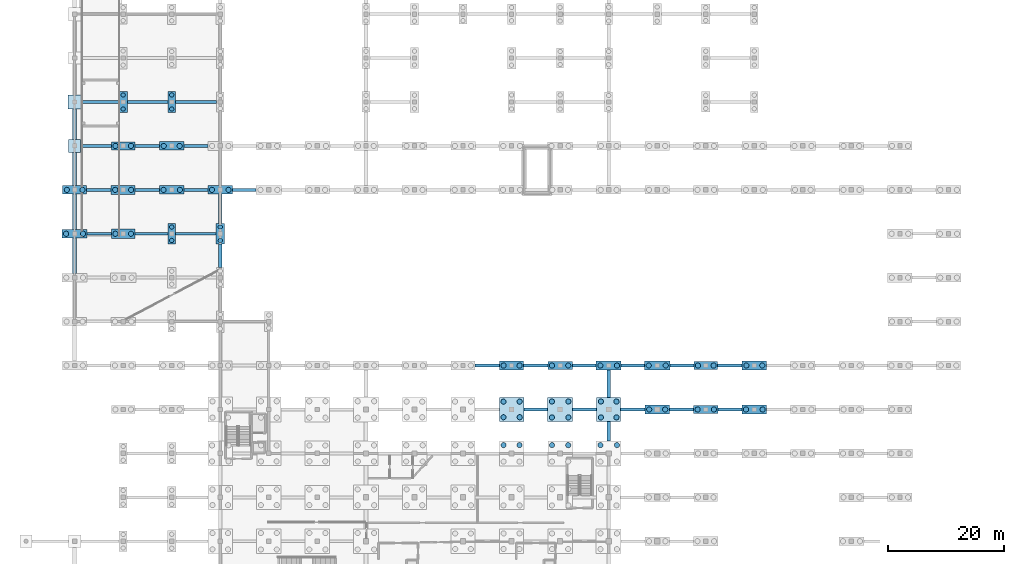
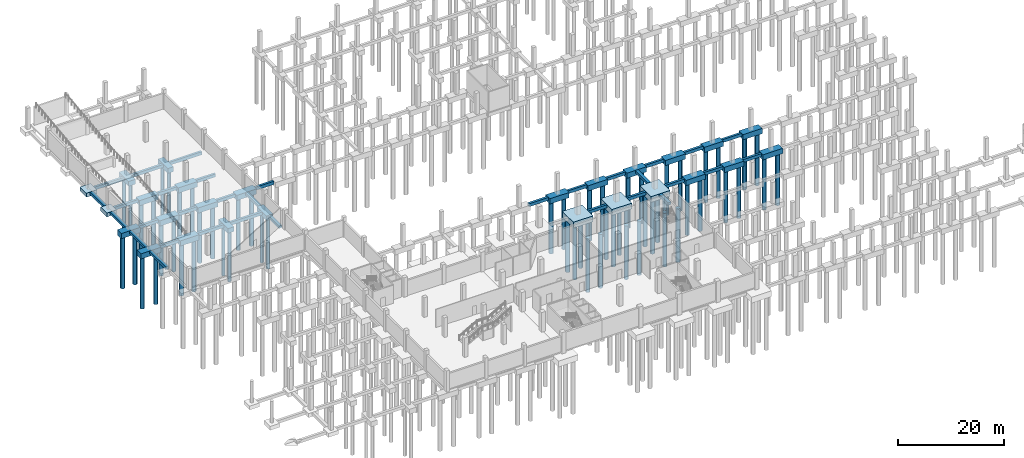
# One storey, part 5 of 22: 60 piles, 58 footings.
"""IFC4 building model written with IfcOpenShell, lengths in metres."""

from ifc_helpers import new_model, si_unit, direction, frame, origin, origin_2d, place, context, subcontext, project, spatial, rectangle, circle, extrude, material, material_profile, profile_set, type_object, element, save


model = new_model("IFC4")

# Units and contexts
model_context = context("Model", 3, precision=1e-05, world=origin(), true_north=direction((0.0, 1.0)))
body_context = subcontext(model_context, "Body", "Model", "MODEL_VIEW")
ifc_project = project(units=[si_unit("LENGTHUNIT", "METRE"), si_unit("AREAUNIT", "SQUARE_METRE"), si_unit("VOLUMEUNIT", "CUBIC_METRE"), si_unit("PLANEANGLEUNIT", "RADIAN"), si_unit("MASSUNIT", "GRAM", prefix="KILO")], contexts=[model_context])

# Site, building, storey
site_placement = place(None, origin())
site = spatial("IfcSite", under=ifc_project, at=site_placement, CompositionType="ELEMENT")
building_placement = place(site_placement, origin())
building = spatial("IfcBuilding", under=site, at=building_placement, Name="Zuvorla Pavilion Media Centre", CompositionType="ELEMENT")
storey_placement = place(building_placement, frame((0.0, 0.0, -4.5)))
storey = spatial("IfcBuildingStorey", under=building, at=storey_placement, Name="B01", CompositionType="ELEMENT", Elevation=-4.5)

# Footings
ifc_material = material(Name="Concrete C40/50", Category="concrete")
footing_type_1 = type_object("IfcFootingType", Name="FT-GB56", PredefinedType="FOOTING_BEAM", material=ifc_material)
footing_1_placement = place(storey_placement, frame((96.1875, 44.0, -1.10009765625), z_axis=(0.0, 0.0, 1.0), x_axis=(1.0, 0.0, 0.0)))
element("IfcFooting", 1, at=footing_1_placement, inside=storey, type_object=footing_type_1, Name="Ground beam GB56 89", PredefinedType="FOOTING_BEAM", context=body_context, shape_type="SweptSolid", body=[
    extrude(rectangle(XDim=4.114990234375, YDim=0.5, at=origin_2d()), origin(), (0.0, 0.0, 1.0), 0.699951171875),
])
footing_2_placement = place(storey_placement, frame((104.637451171875, 44.0, -1.10009765625), z_axis=(0.0, 0.0, 1.0), x_axis=(1.0, 0.0, 0.0)))
element("IfcFooting", 2, at=footing_2_placement, inside=storey, type_object=footing_type_1, Name="Ground beam GB56 90", PredefinedType="FOOTING_BEAM", context=body_context, shape_type="SweptSolid", body=[
    extrude(rectangle(XDim=4.1650390625, YDim=0.5, at=origin_2d()), origin(), (0.0, 0.0, 1.0), 0.699951171875),
])
footing_3_placement = place(storey_placement, frame((112.9951171875, 44.0, -1.10009765625), z_axis=(0.0, 0.0, 1.0), x_axis=(1.0, 0.0, 0.0)))
element("IfcFooting", 3, at=footing_3_placement, inside=storey, type_object=footing_type_1, Name="Ground beam GB56 91", PredefinedType="FOOTING_BEAM", context=body_context, shape_type="SweptSolid", body=[
    extrude(rectangle(XDim=4.22998046875, YDim=0.5, at=origin_2d()), origin(), (0.0, 0.0, 1.0), 0.699951171875),
])
footing_4_placement = place(storey_placement, frame((121.385009765625, 44.0, -1.10009765625), z_axis=(0.0, 0.0, 1.0), x_axis=(1.0, 0.0, 0.0)))
element("IfcFooting", 4, at=footing_4_placement, inside=storey, type_object=footing_type_1, Name="Ground beam GB56 92", PredefinedType="FOOTING_BEAM", context=body_context, shape_type="SweptSolid", body=[
    extrude(rectangle(XDim=4.18994140625, YDim=0.5, at=origin_2d()), origin(), (0.0, 0.0, 1.0), 0.699951171875),
])
footing_5_placement = place(storey_placement, frame((129.784912109375, 44.0, -1.10009765625), z_axis=(0.0, 0.0, 1.0), x_axis=(1.0, 0.0, 0.0)))
element("IfcFooting", 5, at=footing_5_placement, inside=storey, type_object=footing_type_1, Name="Ground beam GB56 93", PredefinedType="FOOTING_BEAM", context=body_context, shape_type="SweptSolid", body=[
    extrude(rectangle(XDim=4.1298828125, YDim=0.5, at=origin_2d()), origin(), (0.0, 0.0, 1.0), 0.699951171875),
])
footing_6_placement = place(storey_placement, frame((87.784912109375, 51.60009765625, -1.10009765625), z_axis=(0.0, 0.0, 1.0), x_axis=(1.0, 0.0, 0.0)))
element("IfcFooting", 6, at=footing_6_placement, inside=storey, type_object=footing_type_1, Name="Ground beam GB56 105", PredefinedType="FOOTING_BEAM", context=body_context, shape_type="SweptSolid", body=[
    extrude(rectangle(XDim=4.25, YDim=0.5, at=origin_2d()), origin(), (0.0, 0.0, 1.0), 0.699951171875),
])
footing_7_placement = place(storey_placement, frame((96.18505859375, 51.60009765625, -1.10009765625), z_axis=(0.0, 0.0, 1.0), x_axis=(1.0, 0.0, 0.0)))
element("IfcFooting", 7, at=footing_7_placement, inside=storey, type_object=footing_type_1, Name="Ground beam GB56 106", PredefinedType="FOOTING_BEAM", context=body_context, shape_type="SweptSolid", body=[
    extrude(rectangle(XDim=4.18994140625, YDim=0.5, at=origin_2d()), origin(), (0.0, 0.0, 1.0), 0.699951171875),
])
footing_8_placement = place(storey_placement, frame((104.5849609375, 51.60009765625, -1.10009765625), z_axis=(0.0, 0.0, 1.0), x_axis=(1.0, 0.0, 0.0)))
element("IfcFooting", 8, at=footing_8_placement, inside=storey, type_object=footing_type_1, Name="Ground beam GB56 107", PredefinedType="FOOTING_BEAM", context=body_context, shape_type="SweptSolid", body=[
    extrude(rectangle(XDim=4.1298828125, YDim=0.5, at=origin_2d()), origin(), (0.0, 0.0, 1.0), 0.699951171875),
])
footing_9_placement = place(storey_placement, frame((112.985107421875, 51.60009765625, -1.10009765625), z_axis=(0.0, 0.0, 1.0), x_axis=(1.0, 0.0, 0.0)))
element("IfcFooting", 9, at=footing_9_placement, inside=storey, type_object=footing_type_1, Name="Ground beam GB56 108", PredefinedType="FOOTING_BEAM", context=body_context, shape_type="SweptSolid", body=[
    extrude(rectangle(XDim=4.070068359375, YDim=0.5, at=origin_2d()), origin(), (0.0, 0.0, 1.0), 0.699951171875),
])
footing_10_placement = place(storey_placement, frame((121.4599609375, 51.60009765625, -1.10009765625), z_axis=(0.0, 0.0, 1.0), x_axis=(1.0, 0.0, 0.0)))
element("IfcFooting", 10, at=footing_10_placement, inside=storey, type_object=footing_type_1, Name="Ground beam GB56 109", PredefinedType="FOOTING_BEAM", context=body_context, shape_type="SweptSolid", body=[
    extrude(rectangle(XDim=4.159912109375, YDim=0.5, at=origin_2d()), origin(), (0.0, 0.0, 1.0), 0.699951171875),
])
footing_11_placement = place(storey_placement, frame((129.784912109375, 51.60009765625, -1.10009765625), z_axis=(0.0, 0.0, 1.0), x_axis=(1.0, 0.0, 0.0)))
element("IfcFooting", 11, at=footing_11_placement, inside=storey, type_object=footing_type_1, Name="Ground beam GB56 110", PredefinedType="FOOTING_BEAM", context=body_context, shape_type="SweptSolid", body=[
    extrude(rectangle(XDim=4.25, YDim=0.5, at=origin_2d()), origin(), (0.0, 0.0, 1.0), 0.699951171875),
])
footing_12_placement = place(storey_placement, frame((20.659912109375, 74.39990234375, -1.10009765625), z_axis=(0.0, 0.0, 1.0), x_axis=(1.0, 0.0, 0.0)))
element("IfcFooting", 12, at=footing_12_placement, inside=storey, type_object=footing_type_1, Name="Ground beam GB56 124", PredefinedType="FOOTING_BEAM", context=body_context, shape_type="SweptSolid", body=[
    extrude(rectangle(XDim=4.159912109375, YDim=0.5, at=origin_2d()), origin(), (0.0, 0.0, 1.0), 0.699951171875),
])
footing_13_placement = place(storey_placement, frame((29.697509765625, 74.39990234375, -1.10009765625), z_axis=(0.0, 0.0, 1.0), x_axis=(1.0, 0.0, 0.0)))
element("IfcFooting", 13, at=footing_13_placement, inside=storey, type_object=footing_type_1, Name="Ground beam GB56 125", PredefinedType="FOOTING_BEAM", context=body_context, shape_type="SweptSolid", body=[
    extrude(rectangle(XDim=5.675048828125, YDim=0.5, at=origin_2d()), origin(), (0.0, 0.0, 1.0), 0.699951171875),
])
footing_14_placement = place(storey_placement, frame((37.3798828125, 74.39990234375, -1.10009765625), z_axis=(0.0, 0.0, 1.0), x_axis=(1.0, 0.0, 0.0)))
element("IfcFooting", 14, at=footing_14_placement, inside=storey, type_object=footing_type_1, Name="Ground beam GB56 126", PredefinedType="FOOTING_BEAM", context=body_context, shape_type="SweptSolid", body=[
    extrude(rectangle(XDim=7.030029296875, YDim=0.5, at=origin_2d()), origin(), (0.0, 0.0, 1.0), 0.699951171875),
])
footing_15_placement = place(storey_placement, frame((20.5849609375, 82.0, -1.10009765625), z_axis=(0.0, 0.0, 1.0), x_axis=(1.0, 0.0, 0.0)))
element("IfcFooting", 15, at=footing_15_placement, inside=storey, type_object=footing_type_1, Name="Ground beam GB56 128", PredefinedType="FOOTING_BEAM", context=body_context, shape_type="SweptSolid", body=[
    extrude(rectangle(XDim=4.25, YDim=0.5, at=origin_2d()), origin(), (0.0, 0.0, 1.0), 0.699951171875),
])
footing_16_placement = place(storey_placement, frame((28.985107421875, 82.0, -1.10009765625), z_axis=(0.0, 0.0, 1.0), x_axis=(1.0, 0.0, 0.0)))
element("IfcFooting", 16, at=footing_16_placement, inside=storey, type_object=footing_type_1, Name="Ground beam GB56 129", PredefinedType="FOOTING_BEAM", context=body_context, shape_type="SweptSolid", body=[
    extrude(rectangle(XDim=4.18994140625, YDim=0.5, at=origin_2d()), origin(), (0.0, 0.0, 1.0), 0.699951171875),
])
footing_17_placement = place(storey_placement, frame((37.385009765625, 82.0, -1.10009765625), z_axis=(0.0, 0.0, 1.0), x_axis=(1.0, 0.0, 0.0)))
element("IfcFooting", 17, at=footing_17_placement, inside=storey, type_object=footing_type_1, Name="Ground beam GB56 130", PredefinedType="FOOTING_BEAM", context=body_context, shape_type="SweptSolid", body=[
    extrude(rectangle(XDim=4.1298828125, YDim=0.5, at=origin_2d()), origin(), (0.0, 0.0, 1.0), 0.699951171875),
])
footing_18_placement = place(storey_placement, frame((45.784912109375, 82.0, -1.10009765625), z_axis=(0.0, 0.0, 1.0), x_axis=(1.0, 0.0, 0.0)))
element("IfcFooting", 18, at=footing_18_placement, inside=storey, type_object=footing_type_1, Name="Ground beam GB56 131", PredefinedType="FOOTING_BEAM", context=body_context, shape_type="SweptSolid", body=[
    extrude(rectangle(XDim=4.070068359375, YDim=0.5, at=origin_2d()), origin(), (0.0, 0.0, 1.0), 0.699951171875),
])
footing_19_placement = place(storey_placement, frame((20.094970703125, 89.60009765625, -1.10009765625), z_axis=(0.0, 0.0, 1.0), x_axis=(1.0, 0.0, 0.0)))
element("IfcFooting", 19, at=footing_19_placement, inside=storey, type_object=footing_type_1, Name="Ground beam GB56 146", PredefinedType="FOOTING_BEAM", context=body_context, shape_type="SweptSolid", body=[
    extrude(rectangle(XDim=5.2900390625, YDim=0.5, at=origin_2d()), origin(), (0.0, 0.0, 1.0), 0.699951171875),
])
footing_20_placement = place(storey_placement, frame((28.985107421875, 89.60009765625, -1.10009765625), z_axis=(0.0, 0.0, 1.0), x_axis=(1.0, 0.0, 0.0)))
element("IfcFooting", 20, at=footing_20_placement, inside=storey, type_object=footing_type_1, Name="Ground beam GB56 147", PredefinedType="FOOTING_BEAM", context=body_context, shape_type="SweptSolid", body=[
    extrude(rectangle(XDim=4.25, YDim=0.5, at=origin_2d()), origin(), (0.0, 0.0, 1.0), 0.699951171875),
])
footing_21_placement = place(storey_placement, frame((37.385009765625, 89.60009765625, -1.10009765625), z_axis=(0.0, 0.0, 1.0), x_axis=(1.0, 0.0, 0.0)))
element("IfcFooting", 21, at=footing_21_placement, inside=storey, type_object=footing_type_1, Name="Ground beam GB56 148", PredefinedType="FOOTING_BEAM", context=body_context, shape_type="SweptSolid", body=[
    extrude(rectangle(XDim=4.18994140625, YDim=0.5, at=origin_2d()), origin(), (0.0, 0.0, 1.0), 0.699951171875),
])
footing_22_placement = place(storey_placement, frame((20.802490234375, 97.199951171875, -1.10009765625), z_axis=(0.0, 0.0, 1.0), x_axis=(1.0, 0.0, 0.0)))
element("IfcFooting", 22, at=footing_22_placement, inside=storey, type_object=footing_type_1, Name="Ground beam GB56 163", PredefinedType="FOOTING_BEAM", context=body_context, shape_type="SweptSolid", body=[
    extrude(rectangle(XDim=6.5048828125, YDim=0.5, at=origin_2d()), origin(), (0.0, 0.0, 1.0), 0.699951171875),
])
footing_23_placement = place(storey_placement, frame((29.06005859375, 97.199951171875, -1.10009765625), z_axis=(0.0, 0.0, 1.0), x_axis=(1.0, 0.0, 0.0)))
element("IfcFooting", 23, at=footing_23_placement, inside=storey, type_object=footing_type_1, Name="Ground beam GB56 164", PredefinedType="FOOTING_BEAM", context=body_context, shape_type="SweptSolid", body=[
    extrude(rectangle(XDim=7.030029296875, YDim=0.5, at=origin_2d()), origin(), (0.0, 0.0, 1.0), 0.699951171875),
])
footing_24_placement = place(storey_placement, frame((37.3798828125, 97.199951171875, -1.10009765625), z_axis=(0.0, 0.0, 1.0), x_axis=(1.0, 0.0, 0.0)))
element("IfcFooting", 24, at=footing_24_placement, inside=storey, type_object=footing_type_1, Name="Ground beam GB56 165", PredefinedType="FOOTING_BEAM", context=body_context, shape_type="SweptSolid", body=[
    extrude(rectangle(XDim=7.110107421875, YDim=0.5, at=origin_2d()), origin(), (0.0, 0.0, 1.0), 0.699951171875),
])
footing_type_2 = type_object("IfcFootingType", Name="FT-PC03", PredefinedType="PILE_CAP", material=ifc_material)
footing_25_placement = place(storey_placement, frame((41.60009765625, 74.39990234375, -1.5), z_axis=(0.0, 0.0, 1.0), x_axis=(1.0, 0.0, 0.0)))
element("IfcFooting", 25, at=footing_25_placement, inside=storey, type_object=footing_type_2, Name="Pile cap PC03", PredefinedType="PILE_CAP", context=body_context, shape_type="SweptSolid", body=[
    extrude(rectangle(XDim=1.409912109375, YDim=3.60009765625, at=origin_2d()), origin(), (0.0, 0.0, 1.0), 1.10009765625),
])
footing_type_3 = type_object("IfcFootingType", Name="FT-PC04", PredefinedType="PILE_CAP", material=ifc_material)
footing_26_placement = place(storey_placement, frame((24.800048828125, 97.199951171875, -1.5), z_axis=(0.0, 0.0, 1.0), x_axis=(1.0, 0.0, 0.0)))
element("IfcFooting", 26, at=footing_26_placement, inside=storey, type_object=footing_type_3, Name="Pile cap PC04", PredefinedType="PILE_CAP", context=body_context, shape_type="SweptSolid", body=[
    extrude(rectangle(XDim=1.489990234375, YDim=3.64990234375, at=origin_2d()), origin(), (0.0, 0.0, 1.0), 1.10009765625),
])
footing_type_4 = type_object("IfcFootingType", Name="FT-PC05", PredefinedType="PILE_CAP", material=ifc_material)
footing_27_placement = place(storey_placement, frame((16.39990234375, 74.39990234375, -1.60009765625), z_axis=(0.0, 0.0, 1.0), x_axis=(1.0, 0.0, 0.0)))
element("IfcFooting", 27, at=footing_27_placement, inside=storey, type_object=footing_type_4, Name="Pile cap PC05", PredefinedType="PILE_CAP", context=body_context, shape_type="SweptSolid", body=[
    extrude(rectangle(XDim=4.360107421875, YDim=1.5, at=origin_2d()), origin(), (0.0, 0.0, 1.0), 1.199951171875),
])
footing_type_5 = type_object("IfcFootingType", Name="FT-PC06", PredefinedType="PILE_CAP", material=ifc_material)
footing_28_placement = place(storey_placement, frame((24.800048828125, 74.39990234375, -1.60009765625), z_axis=(0.0, 0.0, 1.0), x_axis=(1.0, 0.0, 0.0)))
element("IfcFooting", 28, at=footing_28_placement, inside=storey, type_object=footing_type_5, Name="Pile cap PC06", PredefinedType="PILE_CAP", context=body_context, shape_type="SweptSolid", body=[
    extrude(rectangle(XDim=4.1201171875, YDim=1.580078125, at=origin_2d()), origin(), (0.0, 0.0, 1.0), 1.199951171875),
])
footing_type_6 = type_object("IfcFootingType", Name="FT-PC13", PredefinedType="PILE_CAP", material=ifc_material)
for number, where, z_axis, x_axis, name in (
    (29, (125.60009765625, 44.0, -1.60009765625), (0.0, 0.0, 1.0), (1.0, 0.0, 0.0), "Pile cap PC13"),
    (30, (100.39990234375, 51.60009765625, -1.60009765625), (0.0, 0.0, 1.0), (1.0, 0.0, 0.0), "Pile cap PC13"),
    (31, (33.199951171875, 82.0, -1.60009765625), (0.0, 0.0, 1.0), (1.0, 0.0, 0.0), "Pile cap PC13"),
):
    element("IfcFooting", number, at=place(storey_placement, frame(where, z_axis=z_axis, x_axis=x_axis)), inside=storey, type_object=footing_type_6, Name=name, PredefinedType="PILE_CAP", context=body_context, shape_type="SweptSolid", body=[
        extrude(rectangle(XDim=4.239990234375, YDim=1.419921875, at=origin_2d()), origin(), (0.0, 0.0, 1.0), 1.199951171875),
    ])
footing_type_7 = type_object("IfcFootingType", Name="FT-PC14", PredefinedType="PILE_CAP", material=ifc_material)
for number, where, z_axis, x_axis, name in (
    (32, (134.0, 44.0, -1.60009765625), (0.0, 0.0, 1.0), (1.0, 0.0, 0.0), "Pile cap PC14"),
    (33, (108.800048828125, 51.60009765625, -1.60009765625), (0.0, 0.0, 1.0), (1.0, 0.0, 0.0), "Pile cap PC14"),
    (34, (41.60009765625, 82.0, -1.60009765625), (0.0, 0.0, 1.0), (1.0, 0.0, 0.0), "Pile cap PC14"),
):
    element("IfcFooting", number, at=place(storey_placement, frame(where, z_axis=z_axis, x_axis=x_axis)), inside=storey, type_object=footing_type_7, Name=name, PredefinedType="PILE_CAP", context=body_context, shape_type="SweptSolid", body=[
        extrude(rectangle(XDim=4.300048828125, YDim=1.5, at=origin_2d()), origin(), (0.0, 0.0, 1.0), 1.199951171875),
    ])
footing_type_8 = type_object("IfcFootingType", Name="FT-PC15", PredefinedType="PILE_CAP", material=ifc_material)
footing_29_placement = place(storey_placement, frame((117.199951171875, 51.60009765625, -1.60009765625), z_axis=(0.0, 0.0, 1.0), x_axis=(1.0, 0.0, 0.0)))
element("IfcFooting", 35, at=footing_29_placement, inside=storey, type_object=footing_type_8, Name="Pile cap PC15", PredefinedType="PILE_CAP", context=body_context, shape_type="SweptSolid", body=[
    extrude(rectangle(XDim=4.360107421875, YDim=1.580078125, at=origin_2d()), origin(), (0.0, 0.0, 1.0), 1.199951171875),
])
footing_type_9 = type_object("IfcFootingType", Name="FT-PC16", PredefinedType="PILE_CAP", material=ifc_material)
for number, where, z_axis, x_axis, name in (
    (36, (125.60009765625, 51.60009765625, -1.60009765625), (0.0, 0.0, 1.0), (1.0, 0.0, 0.0), "Pile cap PC16"),
    (37, (24.800048828125, 89.60009765625, -1.60009765625), (0.0, 0.0, 1.0), (1.0, 0.0, 0.0), "Pile cap PC16"),
):
    element("IfcFooting", number, at=place(storey_placement, frame(where, z_axis=z_axis, x_axis=x_axis)), inside=storey, type_object=footing_type_9, Name=name, PredefinedType="PILE_CAP", context=body_context, shape_type="SweptSolid", body=[
        extrude(rectangle(XDim=4.1201171875, YDim=1.419921875, at=origin_2d()), origin(), (0.0, 0.0, 1.0), 1.199951171875),
    ])
footing_type_10 = type_object("IfcFootingType", Name="FT-PC17", PredefinedType="PILE_CAP", material=ifc_material)
for number, where, z_axis, x_axis, name in (
    (38, (134.0, 51.60009765625, -1.60009765625), (0.0, 0.0, 1.0), (1.0, 0.0, 0.0), "Pile cap PC17"),
    (39, (33.199951171875, 89.60009765625, -1.60009765625), (0.0, 0.0, 1.0), (1.0, 0.0, 0.0), "Pile cap PC17"),
):
    element("IfcFooting", number, at=place(storey_placement, frame(where, z_axis=z_axis, x_axis=x_axis)), inside=storey, type_object=footing_type_10, Name=name, PredefinedType="PILE_CAP", context=body_context, shape_type="SweptSolid", body=[
        extrude(rectangle(XDim=4.179931640625, YDim=1.5, at=origin_2d()), origin(), (0.0, 0.0, 1.0), 1.199951171875),
    ])
footing_type_11 = type_object("IfcFootingType", Name="FT-PC24", PredefinedType="PILE_CAP", material=ifc_material)
footing_30_placement = place(storey_placement, frame((16.39990234375, 82.0, -1.60009765625), z_axis=(0.0, 0.0, 1.0), x_axis=(1.0, 0.0, 0.0)))
element("IfcFooting", 40, at=footing_30_placement, inside=storey, type_object=footing_type_11, Name="Pile cap PC24", PredefinedType="PILE_CAP", context=body_context, shape_type="SweptSolid", body=[
    extrude(rectangle(XDim=4.1201171875, YDim=1.5, at=origin_2d()), origin(), (0.0, 0.0, 1.0), 1.199951171875),
])
footing_type_12 = type_object("IfcFootingType", Name="FT-PC25", PredefinedType="PILE_CAP", material=ifc_material)
for number, where, z_axis, x_axis, name in (
    (41, (117.199951171875, 44.0, -1.60009765625), (0.0, 0.0, 1.0), (1.0, 0.0, 0.0), "Pile cap PC25"),
    (42, (92.0, 51.60009765625, -1.60009765625), (0.0, 0.0, 1.0), (1.0, 0.0, 0.0), "Pile cap PC25"),
    (43, (24.800048828125, 82.0, -1.60009765625), (0.0, 0.0, 1.0), (1.0, 0.0, 0.0), "Pile cap PC25"),
):
    element("IfcFooting", number, at=place(storey_placement, frame(where, z_axis=z_axis, x_axis=x_axis)), inside=storey, type_object=footing_type_12, Name=name, PredefinedType="PILE_CAP", context=body_context, shape_type="SweptSolid", body=[
        extrude(rectangle(XDim=4.179931640625, YDim=1.580078125, at=origin_2d()), origin(), (0.0, 0.0, 1.0), 1.199951171875),
    ])
footing_type_13 = type_object("IfcFootingType", Name="FT-PC26", PredefinedType="PILE_CAP", material=ifc_material)
footing_31_placement = place(storey_placement, frame((100.39990234375, 44.0, -1.75), z_axis=(0.0, 0.0, 1.0), x_axis=(1.0, 0.0, 0.0)))
element("IfcFooting", 44, at=footing_31_placement, inside=storey, type_object=footing_type_13, Name="Pile cap PC26", PredefinedType="PILE_CAP", context=body_context, shape_type="SweptSolid", body=[
    extrude(rectangle(XDim=4.31005859375, YDim=4.2099609375, at=origin_2d()), origin(), (0.0, 0.0, 1.0), 1.35009765625),
])
footing_type_14 = type_object("IfcFootingType", Name="FT-PC27", PredefinedType="PILE_CAP", material=ifc_material)
footing_32_placement = place(storey_placement, frame((108.800048828125, 44.0, -1.75), z_axis=(0.0, 0.0, 1.0), x_axis=(1.0, 0.0, 0.0)))
element("IfcFooting", 45, at=footing_32_placement, inside=storey, type_object=footing_type_14, Name="Pile cap PC27", PredefinedType="PILE_CAP", context=body_context, shape_type="SweptSolid", body=[
    extrude(rectangle(XDim=4.159912109375, YDim=4.2099609375, at=origin_2d()), origin(), (0.0, 0.0, 1.0), 1.35009765625),
])
footing_type_15 = type_object("IfcFootingType", Name="FT-PC36", PredefinedType="PILE_CAP", material=ifc_material)
footing_33_placement = place(storey_placement, frame((92.0, 44.0, -1.75), z_axis=(0.0, 0.0, 1.0), x_axis=(1.0, 0.0, 0.0)))
element("IfcFooting", 46, at=footing_33_placement, inside=storey, type_object=footing_type_15, Name="Pile cap PC36", PredefinedType="PILE_CAP", context=body_context, shape_type="SweptSolid", body=[
    extrude(rectangle(XDim=4.260009765625, YDim=4.159912109375, at=origin_2d()), origin(), (0.0, 0.0, 1.0), 1.35009765625),
])
footing_type_16 = type_object("IfcFootingType", Name="FT-PC47", PredefinedType="PILE_CAP", material=ifc_material)
footing_34_placement = place(storey_placement, frame((33.199951171875, 74.39990234375, -1.5), z_axis=(0.0, 0.0, 1.0), x_axis=(1.0, 0.0, 0.0)))
element("IfcFooting", 47, at=footing_34_placement, inside=storey, type_object=footing_type_16, Name="Pile cap PC47", PredefinedType="PILE_CAP", context=body_context, shape_type="SweptSolid", body=[
    extrude(rectangle(XDim=1.330078125, YDim=3.550048828125, at=origin_2d()), origin(), (0.0, 0.0, 1.0), 1.10009765625),
])
footing_type_17 = type_object("IfcFootingType", Name="FT-PC48", PredefinedType="PILE_CAP", material=ifc_material)
footing_35_placement = place(storey_placement, frame((33.199951171875, 97.199951171875, -1.5), z_axis=(0.0, 0.0, 1.0), x_axis=(1.0, 0.0, 0.0)))
element("IfcFooting", 48, at=footing_35_placement, inside=storey, type_object=footing_type_17, Name="Pile cap PC48", PredefinedType="PILE_CAP", context=body_context, shape_type="SweptSolid", body=[
    extrude(rectangle(XDim=1.25, YDim=3.699951171875, at=origin_2d()), origin(), (0.0, 0.0, 1.0), 1.10009765625),
])
footing_type_18 = type_object("IfcFootingType", Name="FT-PF21", PredefinedType="PAD_FOOTING", material=ifc_material)
footing_36_placement = place(storey_placement, frame((16.39990234375, 89.60009765625, -1.300048828125), z_axis=(0.0, 0.0, 1.0), x_axis=(1.0, 0.0, 0.0)))
element("IfcFooting", 49, at=footing_36_placement, inside=storey, type_object=footing_type_18, Name="Pad footing PF21", PredefinedType="PAD_FOOTING", context=body_context, shape_type="SweptSolid", body=[
    extrude(rectangle(XDim=2.10009765625, YDim=2.300048828125, at=origin_2d()), origin(), (0.0, 0.0, 1.0), 0.89990234375),
])
footing_type_19 = type_object("IfcFootingType", Name="FT-PF32", PredefinedType="PAD_FOOTING", material=ifc_material)
footing_37_placement = place(storey_placement, frame((16.39990234375, 97.199951171875, -1.300048828125), z_axis=(0.0, 0.0, 1.0), x_axis=(1.0, 0.0, 0.0)))
element("IfcFooting", 50, at=footing_37_placement, inside=storey, type_object=footing_type_19, Name="Pad footing PF32", PredefinedType="PAD_FOOTING", context=body_context, shape_type="SweptSolid", body=[
    extrude(rectangle(XDim=2.300048828125, YDim=2.39990234375, at=origin_2d()), origin(), (0.0, 0.0, 1.0), 0.89990234375),
])
footing_type_20 = type_object("IfcFootingType", Name="FT-SF57", PredefinedType="STRIP_FOOTING", material=ifc_material)
for number, where, z_axis, x_axis, name in (
    (51, (16.39990234375, 70.60009765625, -1.0), (0.0, 0.0, 1.0), (0.0, 1.0, 0.0), "Strip footing SF57 5"),
    (52, (16.39990234375, 78.199951171875, -1.0), (0.0, 0.0, 1.0), (0.0, 1.0, 0.0), "Strip footing SF57 6"),
):
    element("IfcFooting", number, at=place(storey_placement, frame(where, z_axis=z_axis, x_axis=x_axis)), inside=storey, type_object=footing_type_20, Name=name, PredefinedType="STRIP_FOOTING", context=body_context, shape_type="SweptSolid", body=[
        extrude(rectangle(XDim=6.10009765625, YDim=0.64990234375, at=origin_2d()), origin(), (0.0, 0.0, 1.0), 0.60009765625),
    ])
footing_38_placement = place(storey_placement, frame((16.39990234375, 85.60009765625, -1.0), z_axis=(0.0, 0.0, 1.0), x_axis=(0.0, 1.0, 0.0)))
element("IfcFooting", 53, at=footing_38_placement, inside=storey, type_object=footing_type_20, Name="Strip footing SF57 7", PredefinedType="STRIP_FOOTING", context=body_context, shape_type="SweptSolid", body=[
    extrude(rectangle(XDim=5.699951171875, YDim=0.64990234375, at=origin_2d()), origin(), (0.0, 0.0, 1.0), 0.60009765625),
])
footing_39_placement = place(storey_placement, frame((16.39990234375, 93.375, -1.0), z_axis=(0.0, 0.0, 1.0), x_axis=(0.0, 1.0, 0.0)))
element("IfcFooting", 54, at=footing_39_placement, inside=storey, type_object=footing_type_20, Name="Strip footing SF57 8", PredefinedType="STRIP_FOOTING", context=body_context, shape_type="SweptSolid", body=[
    extrude(rectangle(XDim=5.25, YDim=0.64990234375, at=origin_2d()), origin(), (0.0, 0.0, 1.0), 0.60009765625),
])
footing_40_placement = place(storey_placement, frame((41.60009765625, 70.58740234375, -1.0), z_axis=(0.0, 0.0, 1.0), x_axis=(0.0, 1.0, 0.0)))
element("IfcFooting", 55, at=footing_40_placement, inside=storey, type_object=footing_type_20, Name="Strip footing SF57 20", PredefinedType="STRIP_FOOTING", context=body_context, shape_type="SweptSolid", body=[
    extrude(rectangle(XDim=4.02490234375, YDim=0.64990234375, at=origin_2d()), origin(), (0.0, 0.0, 1.0), 0.60009765625),
])
footing_41_placement = place(storey_placement, frame((41.60009765625, 78.72509765625, -1.0), z_axis=(0.0, 0.0, 1.0), x_axis=(0.0, 1.0, 0.0)))
element("IfcFooting", 56, at=footing_41_placement, inside=storey, type_object=footing_type_20, Name="Strip footing SF57 21", PredefinedType="STRIP_FOOTING", context=body_context, shape_type="SweptSolid", body=[
    extrude(rectangle(XDim=5.050048828125, YDim=0.64990234375, at=origin_2d()), origin(), (0.0, 0.0, 1.0), 0.60009765625),
])
footing_42_placement = place(storey_placement, frame((108.800048828125, 40.22509765625, -1.0), z_axis=(0.0, 0.0, 1.0), x_axis=(0.0, 1.0, 0.0)))
element("IfcFooting", 57, at=footing_42_placement, inside=storey, type_object=footing_type_20, Name="Strip footing SF57 42", PredefinedType="STRIP_FOOTING", context=body_context, shape_type="SweptSolid", body=[
    extrude(rectangle(XDim=3.340087890625, YDim=0.64990234375, at=origin_2d()), origin(), (0.0, 0.0, 1.0), 0.60009765625),
])
footing_43_placement = place(storey_placement, frame((108.800048828125, 48.4775390625, -1.0), z_axis=(0.0, 0.0, 1.0), x_axis=(0.0, 1.0, 0.0)))
element("IfcFooting", 58, at=footing_43_placement, inside=storey, type_object=footing_type_20, Name="Strip footing SF57 43", PredefinedType="STRIP_FOOTING", context=body_context, shape_type="SweptSolid", body=[
    extrude(rectangle(XDim=4.7451171875, YDim=0.64990234375, at=origin_2d()), origin(), (0.0, 0.0, 1.0), 0.60009765625),
])

# Piles
ifc_material_profile_1 = material_profile(ifc_material, circle(Radius=0.375, at=origin_2d()), Name="BORED PILE 750")
ifc_profile_set_1 = profile_set([ifc_material_profile_1], Name="Concrete C40/50")
pile_type_1 = type_object("IfcPileType", Name="PIL-D750", PredefinedType="BORED", material=ifc_profile_set_1)
for number, where, z_axis, x_axis, name in (
    (59, (33.199951171875, 73.25, -1.39990234375), (0.0, 0.0, -1.0), (1.0, 0.0, 0.0), "Bored pile P75 349"),
    (60, (33.199951171875, 75.550048828125, -1.39990234375), (0.0, 0.0, -1.0), (1.0, 0.0, 0.0), "Bored pile P75 350"),
    (61, (41.60009765625, 73.22509765625, -1.39990234375), (0.0, 0.0, -1.0), (1.0, 0.0, 0.0), "Bored pile P75 351"),
    (62, (41.60009765625, 75.574951171875, -1.39990234375), (0.0, 0.0, -1.0), (1.0, 0.0, 0.0), "Bored pile P75 352"),
    (63, (24.800048828125, 96.0, -1.39990234375), (0.0, 0.0, -1.0), (1.0, 0.0, 0.0), "Bored pile P75 429"),
    (64, (24.800048828125, 98.39990234375, -1.39990234375), (0.0, 0.0, -1.0), (1.0, 0.0, 0.0), "Bored pile P75 430"),
    (65, (33.199951171875, 95.97509765625, -1.39990234375), (0.0, 0.0, -1.0), (1.0, 0.0, 0.0), "Bored pile P75 431"),
    (66, (33.199951171875, 98.425048828125, -1.39990234375), (0.0, 0.0, -1.0), (1.0, 0.0, 0.0), "Bored pile P75 432"),
):
    element("IfcPile", number, at=place(storey_placement, frame(where, z_axis=z_axis, x_axis=x_axis)), inside=storey, type_object=pile_type_1, Name=name, PredefinedType="BORED", context=body_context, shape_type="SweptSolid", body=[
        extrude(circle(Radius=0.375, at=origin_2d()), origin(), (0.0, 0.0, 1.0), 11.60009765625),
    ])
ifc_material_profile_2 = material_profile(ifc_material, circle(Radius=0.449951171875, at=origin_2d()), Name="BORED PILE 900")
ifc_profile_set_2 = profile_set([ifc_material_profile_2], Name="Concrete C40/50")
pile_type_2 = type_object("IfcPileType", Name="PIL-D900", PredefinedType="BORED", material=ifc_profile_set_2)
for number, where, z_axis, x_axis, name in (
    (67, (90.625, 37.824951171875, -1.64990234375), (0.0, 0.0, -1.0), (1.0, 0.0, 0.0), "Bored pile P90 207"),
    (68, (93.375, 37.824951171875, -1.64990234375), (0.0, 0.0, -1.0), (1.0, 0.0, 0.0), "Bored pile P90 208"),
    (69, (99.0, 37.824951171875, -1.64990234375), (0.0, 0.0, -1.0), (1.0, 0.0, 0.0), "Bored pile P90 211"),
    (70, (101.800048828125, 37.824951171875, -1.64990234375), (0.0, 0.0, -1.0), (1.0, 0.0, 0.0), "Bored pile P90 212"),
    (71, (107.375, 37.824951171875, -1.64990234375), (0.0, 0.0, -1.0), (1.0, 0.0, 0.0), "Bored pile P90 215"),
    (72, (110.22509765625, 37.824951171875, -1.64990234375), (0.0, 0.0, -1.0), (1.0, 0.0, 0.0), "Bored pile P90 216"),
    (73, (90.60009765625, 42.64990234375, -1.64990234375), (0.0, 0.0, -1.0), (1.0, 0.0, 0.0), "Bored pile P90 257"),
    (74, (93.39990234375, 42.64990234375, -1.64990234375), (0.0, 0.0, -1.0), (1.0, 0.0, 0.0), "Bored pile P90 258"),
    (75, (90.60009765625, 45.35009765625, -1.64990234375), (0.0, 0.0, -1.0), (1.0, 0.0, 0.0), "Bored pile P90 259"),
    (76, (93.39990234375, 45.35009765625, -1.64990234375), (0.0, 0.0, -1.0), (1.0, 0.0, 0.0), "Bored pile P90 260"),
    (77, (98.97509765625, 42.625, -1.64990234375), (0.0, 0.0, -1.0), (1.0, 0.0, 0.0), "Bored pile P90 261"),
    (78, (101.824951171875, 42.625, -1.64990234375), (0.0, 0.0, -1.0), (1.0, 0.0, 0.0), "Bored pile P90 262"),
    (79, (98.97509765625, 45.375, -1.64990234375), (0.0, 0.0, -1.0), (1.0, 0.0, 0.0), "Bored pile P90 263"),
    (80, (101.824951171875, 45.375, -1.64990234375), (0.0, 0.0, -1.0), (1.0, 0.0, 0.0), "Bored pile P90 264"),
    (81, (107.449951171875, 42.625, -1.64990234375), (0.0, 0.0, -1.0), (1.0, 0.0, 0.0), "Bored pile P90 265"),
    (82, (110.14990234375, 42.625, -1.64990234375), (0.0, 0.0, -1.0), (1.0, 0.0, 0.0), "Bored pile P90 266"),
    (83, (107.449951171875, 45.375, -1.64990234375), (0.0, 0.0, -1.0), (1.0, 0.0, 0.0), "Bored pile P90 267"),
    (84, (110.14990234375, 45.375, -1.64990234375), (0.0, 0.0, -1.0), (1.0, 0.0, 0.0), "Bored pile P90 268"),
):
    element("IfcPile", number, at=place(storey_placement, frame(where, z_axis=z_axis, x_axis=x_axis)), inside=storey, type_object=pile_type_2, Name=name, PredefinedType="BORED", context=body_context, shape_type="SweptSolid", body=[
        extrude(circle(Radius=0.449951171875, at=origin_2d()), origin(), (0.0, 0.0, 1.0), 12.35009765625),
    ])
for number, where, z_axis, x_axis, name in (
    (85, (115.820068359375, 44.0, -1.5), (0.0, 0.0, -1.0), (1.0, 0.0, 0.0), "Bored pile P90 269"),
    (86, (118.580078125, 44.0, -1.5), (0.0, 0.0, -1.0), (1.0, 0.0, 0.0), "Bored pile P90 270"),
    (87, (124.18994140625, 44.0, -1.5), (0.0, 0.0, -1.0), (1.0, 0.0, 0.0), "Bored pile P90 271"),
    (88, (127.010009765625, 44.0, -1.5), (0.0, 0.0, -1.0), (1.0, 0.0, 0.0), "Bored pile P90 272"),
    (89, (132.56005859375, 44.0, -1.5), (0.0, 0.0, -1.0), (1.0, 0.0, 0.0), "Bored pile P90 273"),
    (90, (135.43994140625, 44.0, -1.5), (0.0, 0.0, -1.0), (1.0, 0.0, 0.0), "Bored pile P90 274"),
    (91, (90.6201171875, 51.60009765625, -1.5), (0.0, 0.0, -1.0), (1.0, 0.0, 0.0), "Bored pile P90 299"),
    (92, (93.3798828125, 51.60009765625, -1.5), (0.0, 0.0, -1.0), (1.0, 0.0, 0.0), "Bored pile P90 300"),
    (93, (98.989990234375, 51.60009765625, -1.5), (0.0, 0.0, -1.0), (1.0, 0.0, 0.0), "Bored pile P90 301"),
    (94, (101.81005859375, 51.60009765625, -1.5), (0.0, 0.0, -1.0), (1.0, 0.0, 0.0), "Bored pile P90 302"),
    (95, (107.360107421875, 51.60009765625, -1.5), (0.0, 0.0, -1.0), (1.0, 0.0, 0.0), "Bored pile P90 303"),
    (96, (110.239990234375, 51.60009765625, -1.5), (0.0, 0.0, -1.0), (1.0, 0.0, 0.0), "Bored pile P90 304"),
    (97, (115.72998046875, 51.60009765625, -1.5), (0.0, 0.0, -1.0), (1.0, 0.0, 0.0), "Bored pile P90 305"),
    (98, (118.669921875, 51.60009765625, -1.5), (0.0, 0.0, -1.0), (1.0, 0.0, 0.0), "Bored pile P90 306"),
    (99, (124.25, 51.60009765625, -1.5), (0.0, 0.0, -1.0), (1.0, 0.0, 0.0), "Bored pile P90 307"),
    (100, (126.949951171875, 51.60009765625, -1.5), (0.0, 0.0, -1.0), (1.0, 0.0, 0.0), "Bored pile P90 308"),
    (101, (132.6201171875, 51.60009765625, -1.5), (0.0, 0.0, -1.0), (1.0, 0.0, 0.0), "Bored pile P90 309"),
    (102, (135.3798828125, 51.60009765625, -1.5), (0.0, 0.0, -1.0), (1.0, 0.0, 0.0), "Bored pile P90 310"),
    (103, (14.929931640625, 74.39990234375, -1.5), (0.0, 0.0, -1.0), (1.0, 0.0, 0.0), "Bored pile P90 345"),
    (104, (17.8701171875, 74.39990234375, -1.5), (0.0, 0.0, -1.0), (1.0, 0.0, 0.0), "Bored pile P90 346"),
    (105, (23.449951171875, 74.39990234375, -1.5), (0.0, 0.0, -1.0), (1.0, 0.0, 0.0), "Bored pile P90 347"),
    (106, (26.14990234375, 74.39990234375, -1.5), (0.0, 0.0, -1.0), (1.0, 0.0, 0.0), "Bored pile P90 348"),
    (107, (15.050048828125, 82.0, -1.5), (0.0, 0.0, -1.0), (1.0, 0.0, 0.0), "Bored pile P90 357"),
    (108, (17.75, 82.0, -1.5), (0.0, 0.0, -1.0), (1.0, 0.0, 0.0), "Bored pile P90 358"),
    (109, (23.419921875, 82.0, -1.5), (0.0, 0.0, -1.0), (1.0, 0.0, 0.0), "Bored pile P90 359"),
    (110, (26.179931640625, 82.0, -1.5), (0.0, 0.0, -1.0), (1.0, 0.0, 0.0), "Bored pile P90 360"),
    (111, (31.7900390625, 82.0, -1.5), (0.0, 0.0, -1.0), (1.0, 0.0, 0.0), "Bored pile P90 361"),
    (112, (34.610107421875, 82.0, -1.5), (0.0, 0.0, -1.0), (1.0, 0.0, 0.0), "Bored pile P90 362"),
    (113, (40.159912109375, 82.0, -1.5), (0.0, 0.0, -1.0), (1.0, 0.0, 0.0), "Bored pile P90 363"),
    (114, (43.0400390625, 82.0, -1.5), (0.0, 0.0, -1.0), (1.0, 0.0, 0.0), "Bored pile P90 364"),
    (115, (23.449951171875, 89.60009765625, -1.5), (0.0, 0.0, -1.0), (1.0, 0.0, 0.0), "Bored pile P90 395"),
    (116, (26.14990234375, 89.60009765625, -1.5), (0.0, 0.0, -1.0), (1.0, 0.0, 0.0), "Bored pile P90 396"),
    (117, (31.820068359375, 89.60009765625, -1.5), (0.0, 0.0, -1.0), (1.0, 0.0, 0.0), "Bored pile P90 397"),
    (118, (34.580078125, 89.60009765625, -1.5), (0.0, 0.0, -1.0), (1.0, 0.0, 0.0), "Bored pile P90 398"),
):
    element("IfcPile", number, at=place(storey_placement, frame(where, z_axis=z_axis, x_axis=x_axis)), inside=storey, type_object=pile_type_2, Name=name, PredefinedType="BORED", context=body_context, shape_type="SweptSolid", body=[
        extrude(circle(Radius=0.449951171875, at=origin_2d()), origin(), (0.0, 0.0, 1.0), 12.0),
    ])

save(model, "model.ifc")
